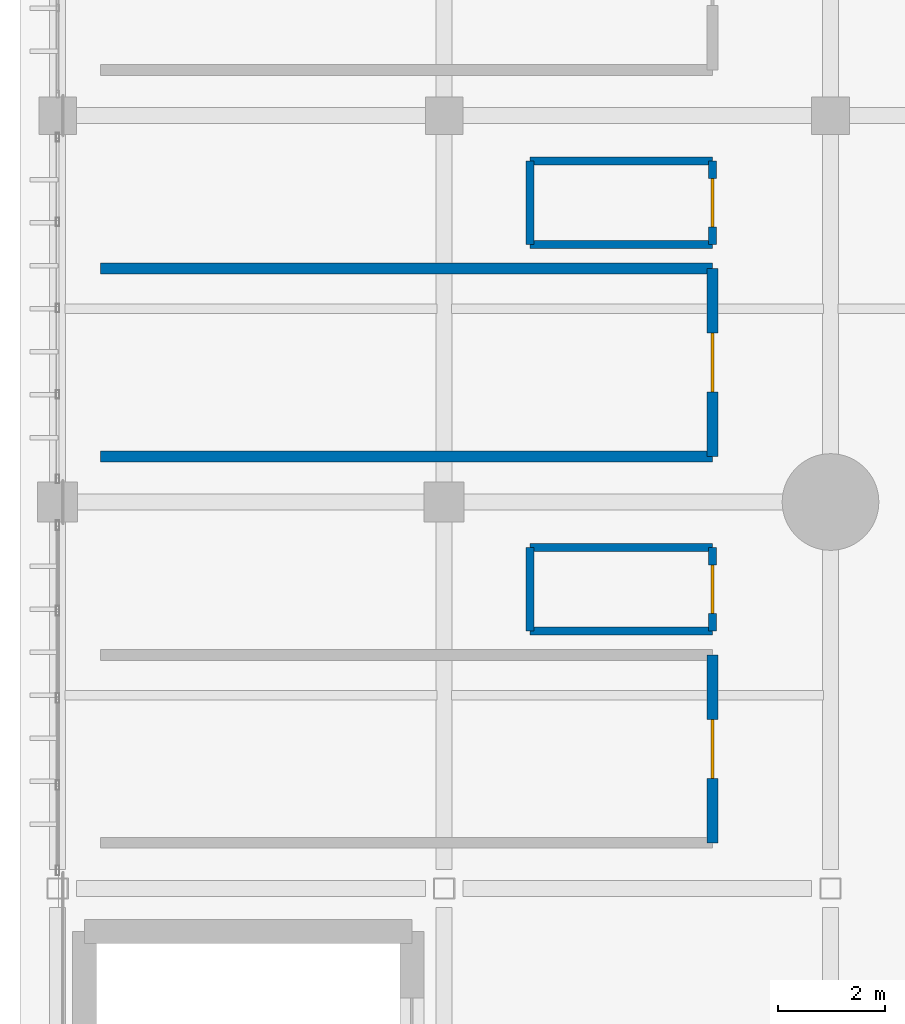
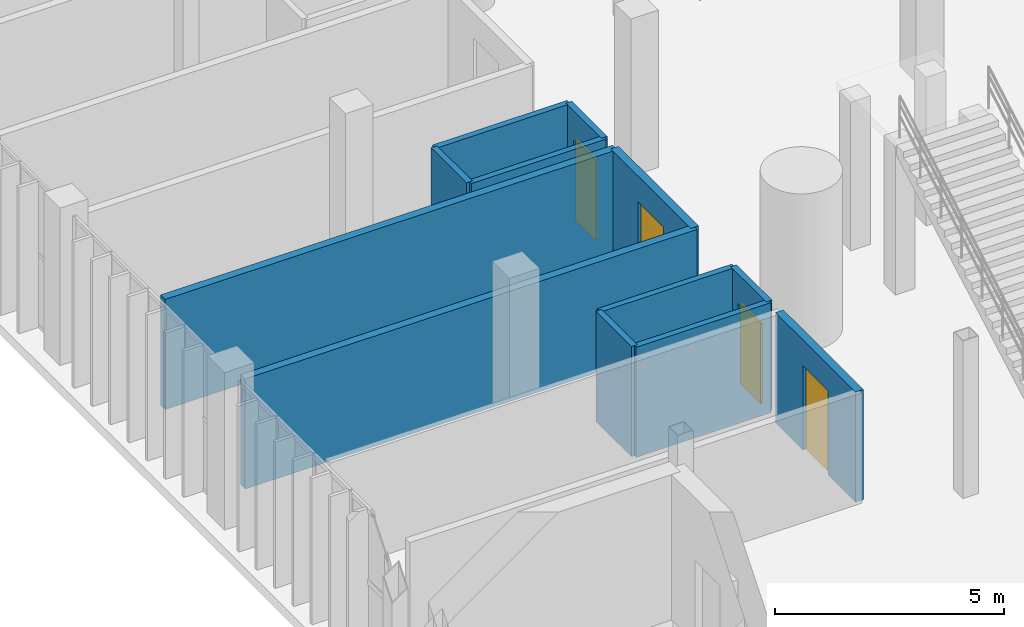
# One storey, part 103 of 130: 12 walls, 4 doors, 4 openings.
"""IFC4 building model written with IfcOpenShell, lengths in metres."""

from ifc_helpers import new_model, si_unit, direction, frame, frame_2d, origin, place, context, subcontext, project, spatial, rectangle, extrude, material, layer, layer_set, type_object, element, fill, save


model = new_model("IFC4")

# Units and contexts
model_context = context("Model", 3, precision=1e-05, world=origin(), true_north=direction((0.0, 1.0)))
body_context = subcontext(model_context, "Body", "Model", "MODEL_VIEW")
ifc_project = project(units=[si_unit("LENGTHUNIT", "METRE"), si_unit("AREAUNIT", "SQUARE_METRE"), si_unit("VOLUMEUNIT", "CUBIC_METRE"), si_unit("PLANEANGLEUNIT", "RADIAN"), si_unit("MASSUNIT", "GRAM", prefix="KILO")], contexts=[model_context])

# Site, building, storey
site_placement = place(None, origin())
site = spatial("IfcSite", under=ifc_project, at=site_placement, CompositionType="ELEMENT")
building_placement = place(site_placement, origin())
building = spatial("IfcBuilding", under=site, at=building_placement, Name="Qandorah Velis Arena", CompositionType="ELEMENT")
storey_placement = place(building_placement, frame((0.0, 0.0, 9.60009765625)))
storey = spatial("IfcBuildingStorey", under=building, at=storey_placement, Name="L02", CompositionType="ELEMENT", Elevation=9.60009765625)

# Wall, opening, door
ifc_material_1 = material(Name="Concrete C35/45", Category="concrete")
ifc_layer_1 = layer(ifc_material_1, 0.199951171875)
ifc_layer_set_1 = layer_set([ifc_layer_1], Name="Concrete C35/45")
wall_type_1 = type_object("IfcWallType", Name="ARC-WAL-FD60-200", PredefinedType="PARTITIONING", material=ifc_layer_set_1)
wall_1_placement = place(storey_placement, frame((12.199951171875, 51.25, 0.0), z_axis=(0.0, 0.0, 1.0), x_axis=(0.0, 1.0, 0.0)))
wall_1 = element("IfcWall", 1, at=wall_1_placement, inside=storey, type_object=wall_type_1, Name="Interior partition L02-HS-04 (E)", PredefinedType="PARTITIONING", context=body_context, shape_type="SweptSolid", body=[
    extrude(rectangle(XDim=3.5, YDim=0.199951171875, at=frame_2d((1.75, 0.0))), origin(), (0.0, 0.0, 1.0), 2.93994140625),
])
opening_1_placement = place(wall_1_placement, frame((1.199951171875, 0.0, 0.0)))
opening_1 = element("IfcOpeningElement", 2, at=opening_1_placement, cuts=wall_1, Name="Opening D7", PredefinedType="OPENING", context=body_context, shape_type="SweptSolid", body=[
    extrude(rectangle(XDim=1.10009765625, YDim=2.25, at=frame_2d((0.550048828125, 1.125))), frame((0.0, 0.10986328125, 0.0), z_axis=(0.0, -1.0, 0.0), x_axis=(1.0, 0.0, 0.0)), (0.0, 0.0, 1.0), 0.219970703125),
])
ifc_material_2 = material(Name="Hospitality suite acoustic walnut door")
door_type_1 = type_object("IfcDoorType", Name="ARC-DR-INT1100", OperationType="NOTDEFINED", PredefinedType="DOOR", material=ifc_material_2)
door_1_placement = place(opening_1_placement, origin())
door_1 = element("IfcDoor", 3, at=door_1_placement, inside=storey, type_object=door_type_1, Name="Door L02-HS-04", OperationType="SINGLE_SWING_LEFT", OverallHeight=2.25, OverallWidth=1.10009765625, PredefinedType="DOOR", context=body_context, shape_type="SweptSolid", body=[
    extrude(rectangle(XDim=1.10009765625, YDim=2.25, at=frame_2d((0.550048828125, 1.125))), frame((0.0, 0.02490234375, 0.0), z_axis=(0.0, -1.0, 0.0), x_axis=(1.0, 0.0, 0.0)), (0.0, 0.0, 1.0), 0.050048828125),
])
fill(opening_1, door_1)

# Wall
wall_2_placement = place(storey_placement, frame((0.800048828125, 58.449951171875, 0.0), z_axis=(0.0, 0.0, 1.0), x_axis=(1.0, 0.0, 0.0)))
element("IfcWall", 4, at=wall_2_placement, inside=storey, type_object=wall_type_1, Name="Interior partition L02-HS-05 (S)", PredefinedType="PARTITIONING", context=body_context, shape_type="SweptSolid", body=[
    extrude(rectangle(XDim=11.39990234375, YDim=0.199951171875, at=frame_2d((5.699951171875, 0.0))), origin(), (0.0, 0.0, 1.0), 2.93994140625),
])

# Wall, opening, door
wall_3_placement = place(storey_placement, frame((12.199951171875, 58.449951171875, 0.0), z_axis=(0.0, 0.0, 1.0), x_axis=(0.0, 1.0, 0.0)))
wall_3 = element("IfcWall", 5, at=wall_3_placement, inside=storey, type_object=wall_type_1, Name="Interior partition L02-HS-05 (E)", PredefinedType="PARTITIONING", context=body_context, shape_type="SweptSolid", body=[
    extrude(rectangle(XDim=3.5, YDim=0.199951171875, at=frame_2d((1.75, 0.0))), origin(), (0.0, 0.0, 1.0), 2.93994140625),
])
opening_2_placement = place(wall_3_placement, frame((1.199951171875, 0.0, 0.0)))
opening_2 = element("IfcOpeningElement", 6, at=opening_2_placement, cuts=wall_3, Name="Opening D7", PredefinedType="OPENING", context=body_context, shape_type="SweptSolid", body=[
    extrude(rectangle(XDim=1.10009765625, YDim=2.25, at=frame_2d((0.550048828125, 1.125))), frame((0.0, 0.10986328125, 0.0), z_axis=(0.0, -1.0, 0.0), x_axis=(1.0, 0.0, 0.0)), (0.0, 0.0, 1.0), 0.219970703125),
])
door_2_placement = place(opening_2_placement, origin())
door_2 = element("IfcDoor", 7, at=door_2_placement, inside=storey, type_object=door_type_1, Name="Door L02-HS-05", OperationType="SINGLE_SWING_LEFT", OverallHeight=2.25, OverallWidth=1.10009765625, PredefinedType="DOOR", context=body_context, shape_type="SweptSolid", body=[
    extrude(rectangle(XDim=1.10009765625, YDim=2.25, at=frame_2d((0.550048828125, 1.125))), frame((0.0, 0.02490234375, 0.0), z_axis=(0.0, -1.0, 0.0), x_axis=(1.0, 0.0, 0.0)), (0.0, 0.0, 1.0), 0.050048828125),
])
fill(opening_2, door_2)

# Walls
wall_4_placement = place(storey_placement, frame((12.199951171875, 61.949951171875, 0.0), z_axis=(0.0, 0.0, 1.0), x_axis=(-1.0, 0.0, 0.0)))
element("IfcWall", 8, at=wall_4_placement, inside=storey, type_object=wall_type_1, Name="Interior partition L02-HS-05 (N)", PredefinedType="PARTITIONING", context=body_context, shape_type="SweptSolid", body=[
    extrude(rectangle(XDim=11.39990234375, YDim=0.199951171875, at=frame_2d((5.699951171875, 0.0))), origin(), (0.0, 0.0, 1.0), 2.93994140625),
])
ifc_layer_2 = layer(ifc_material_1, 0.14990234375)
ifc_layer_set_2 = layer_set([ifc_layer_2], Name="Concrete C35/45")
wall_type_2 = type_object("IfcWallType", Name="ARC-WAL-PART150", PredefinedType="PARTITIONING", material=ifc_layer_set_2)
wall_5_placement = place(storey_placement, frame((8.800048828125, 55.199951171875, 0.0), z_axis=(0.0, 0.0, 1.0), x_axis=(1.0, 0.0, 0.0)))
element("IfcWall", 9, at=wall_5_placement, inside=storey, type_object=wall_type_2, Name="Interior partition L02-HSWC-04 (S)", PredefinedType="PARTITIONING", context=body_context, shape_type="SweptSolid", body=[
    extrude(rectangle(XDim=3.39990234375, YDim=0.14990234375, at=frame_2d((1.699951171875, 0.0))), origin(), (0.0, 0.0, 1.0), 2.93994140625),
])

# Wall, opening, door
wall_6_placement = place(storey_placement, frame((12.199951171875, 55.199951171875, 0.0), z_axis=(0.0, 0.0, 1.0), x_axis=(0.0, 1.0, 0.0)))
wall_6 = element("IfcWall", 10, at=wall_6_placement, inside=storey, type_object=wall_type_2, Name="Interior partition L02-HSWC-04 (E)", PredefinedType="PARTITIONING", context=body_context, shape_type="SweptSolid", body=[
    extrude(rectangle(XDim=1.550048828125, YDim=0.14990234375, at=frame_2d((0.77490234375, 0.0))), origin(), (0.0, 0.0, 1.0), 2.93994140625),
])
opening_3_placement = place(wall_6_placement, frame((0.324951171875, 0.0, 0.0)))
opening_3 = element("IfcOpeningElement", 11, at=opening_3_placement, cuts=wall_6, Name="Opening D8", PredefinedType="OPENING", context=body_context, shape_type="SweptSolid", body=[
    extrude(rectangle(XDim=0.89990234375, YDim=2.14990234375, at=frame_2d((0.449951171875, 1.074951171875))), frame((0.0, 0.0849609375, 0.0), z_axis=(0.0, -1.0, 0.0), x_axis=(1.0, 0.0, 0.0)), (0.0, 0.0, 1.0), 0.169921875),
])
ifc_material_3 = material(Name="Suite en-suite walnut door")
door_type_2 = type_object("IfcDoorType", Name="ARC-DR-WC900", OperationType="NOTDEFINED", PredefinedType="DOOR", material=ifc_material_3)
door_3_placement = place(opening_3_placement, frame((0.89990234375, 0.0, 0.0), z_axis=(0.0, 0.0, 1.0), x_axis=(-1.0, 0.0, 0.0)))
door_3 = element("IfcDoor", 12, at=door_3_placement, inside=storey, type_object=door_type_2, Name="Door L02-HSWC-04", OperationType="SINGLE_SWING_RIGHT", OverallHeight=2.14990234375, OverallWidth=0.89990234375, PredefinedType="DOOR", context=body_context, shape_type="SweptSolid", body=[
    extrude(rectangle(XDim=0.89990234375, YDim=2.14990234375, at=frame_2d((0.449951171875, 1.074951171875))), frame((0.0, 0.02490234375, 0.0), z_axis=(0.0, -1.0, 0.0), x_axis=(1.0, 0.0, 0.0)), (0.0, 0.0, 1.0), 0.050048828125),
])
fill(opening_3, door_3)

# Walls
wall_7_placement = place(storey_placement, frame((12.199951171875, 56.75, 0.0), z_axis=(0.0, 0.0, 1.0), x_axis=(-1.0, 0.0, 0.0)))
element("IfcWall", 13, at=wall_7_placement, inside=storey, type_object=wall_type_2, Name="Interior partition L02-HSWC-04 (N)", PredefinedType="PARTITIONING", context=body_context, shape_type="SweptSolid", body=[
    extrude(rectangle(XDim=3.39990234375, YDim=0.14990234375, at=frame_2d((1.699951171875, 0.0))), origin(), (0.0, 0.0, 1.0), 2.93994140625),
])
wall_8_placement = place(storey_placement, frame((8.800048828125, 56.75, 0.0), z_axis=(0.0, 0.0, 1.0), x_axis=(0.0, -1.0, 0.0)))
element("IfcWall", 14, at=wall_8_placement, inside=storey, type_object=wall_type_2, Name="Interior partition L02-HSWC-04 (W)", PredefinedType="PARTITIONING", context=body_context, shape_type="SweptSolid", body=[
    extrude(rectangle(XDim=1.550048828125, YDim=0.14990234375, at=frame_2d((0.77490234375, 0.0))), origin(), (0.0, 0.0, 1.0), 2.93994140625),
])
wall_9_placement = place(storey_placement, frame((8.800048828125, 62.39990234375, 0.0), z_axis=(0.0, 0.0, 1.0), x_axis=(1.0, 0.0, 0.0)))
element("IfcWall", 15, at=wall_9_placement, inside=storey, type_object=wall_type_2, Name="Interior partition L02-HSWC-05 (S)", PredefinedType="PARTITIONING", context=body_context, shape_type="SweptSolid", body=[
    extrude(rectangle(XDim=3.39990234375, YDim=0.14990234375, at=frame_2d((1.699951171875, 0.0))), origin(), (0.0, 0.0, 1.0), 2.93994140625),
])

# Wall, opening, door
wall_10_placement = place(storey_placement, frame((12.199951171875, 62.39990234375, 0.0), z_axis=(0.0, 0.0, 1.0), x_axis=(0.0, 1.0, 0.0)))
wall_10 = element("IfcWall", 16, at=wall_10_placement, inside=storey, type_object=wall_type_2, Name="Interior partition L02-HSWC-05 (E)", PredefinedType="PARTITIONING", context=body_context, shape_type="SweptSolid", body=[
    extrude(rectangle(XDim=1.550048828125, YDim=0.14990234375, at=frame_2d((0.77490234375, 0.0))), origin(), (0.0, 0.0, 1.0), 2.93994140625),
])
opening_4_placement = place(wall_10_placement, frame((0.324951171875, 0.0, 0.0)))
opening_4 = element("IfcOpeningElement", 17, at=opening_4_placement, cuts=wall_10, Name="Opening D8", PredefinedType="OPENING", context=body_context, shape_type="SweptSolid", body=[
    extrude(rectangle(XDim=0.89990234375, YDim=2.14990234375, at=frame_2d((0.449951171875, 1.074951171875))), frame((0.0, 0.0849609375, 0.0), z_axis=(0.0, -1.0, 0.0), x_axis=(1.0, 0.0, 0.0)), (0.0, 0.0, 1.0), 0.169921875),
])
door_4_placement = place(opening_4_placement, frame((0.89990234375, 0.0, 0.0), z_axis=(0.0, 0.0, 1.0), x_axis=(-1.0, 0.0, 0.0)))
door_4 = element("IfcDoor", 18, at=door_4_placement, inside=storey, type_object=door_type_2, Name="Door L02-HSWC-05", OperationType="SINGLE_SWING_RIGHT", OverallHeight=2.14990234375, OverallWidth=0.89990234375, PredefinedType="DOOR", context=body_context, shape_type="SweptSolid", body=[
    extrude(rectangle(XDim=0.89990234375, YDim=2.14990234375, at=frame_2d((0.449951171875, 1.074951171875))), frame((0.0, 0.02490234375, 0.0), z_axis=(0.0, -1.0, 0.0), x_axis=(1.0, 0.0, 0.0)), (0.0, 0.0, 1.0), 0.050048828125),
])
fill(opening_4, door_4)

# Walls
wall_11_placement = place(storey_placement, frame((12.199951171875, 63.949951171875, 0.0), z_axis=(0.0, 0.0, 1.0), x_axis=(-1.0, 0.0, 0.0)))
element("IfcWall", 19, at=wall_11_placement, inside=storey, type_object=wall_type_2, Name="Interior partition L02-HSWC-05 (N)", PredefinedType="PARTITIONING", context=body_context, shape_type="SweptSolid", body=[
    extrude(rectangle(XDim=3.39990234375, YDim=0.14990234375, at=frame_2d((1.699951171875, 0.0))), origin(), (0.0, 0.0, 1.0), 2.93994140625),
])
wall_12_placement = place(storey_placement, frame((8.800048828125, 63.949951171875, 0.0), z_axis=(0.0, 0.0, 1.0), x_axis=(0.0, -1.0, 0.0)))
element("IfcWall", 20, at=wall_12_placement, inside=storey, type_object=wall_type_2, Name="Interior partition L02-HSWC-05 (W)", PredefinedType="PARTITIONING", context=body_context, shape_type="SweptSolid", body=[
    extrude(rectangle(XDim=1.550048828125, YDim=0.14990234375, at=frame_2d((0.77490234375, 0.0))), origin(), (0.0, 0.0, 1.0), 2.93994140625),
])

save(model, "model.ifc")
